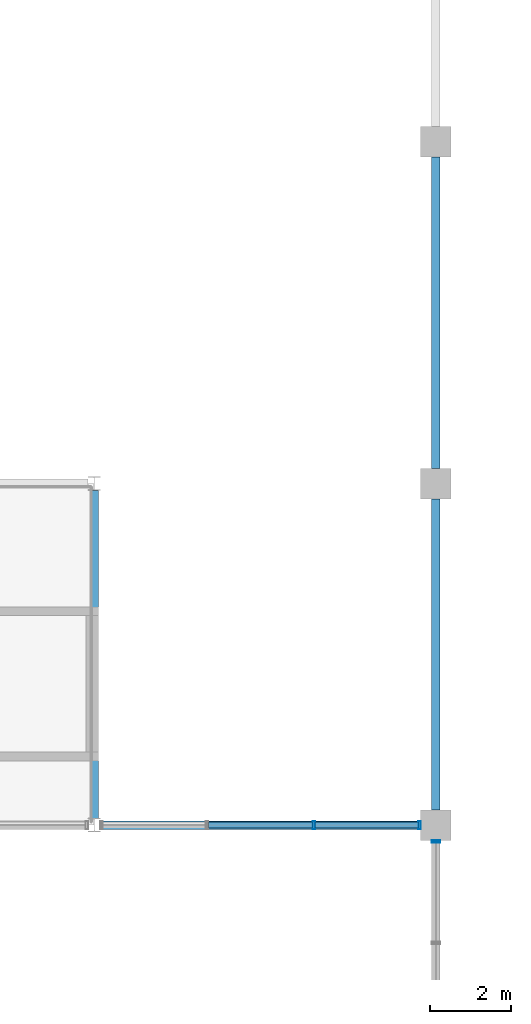
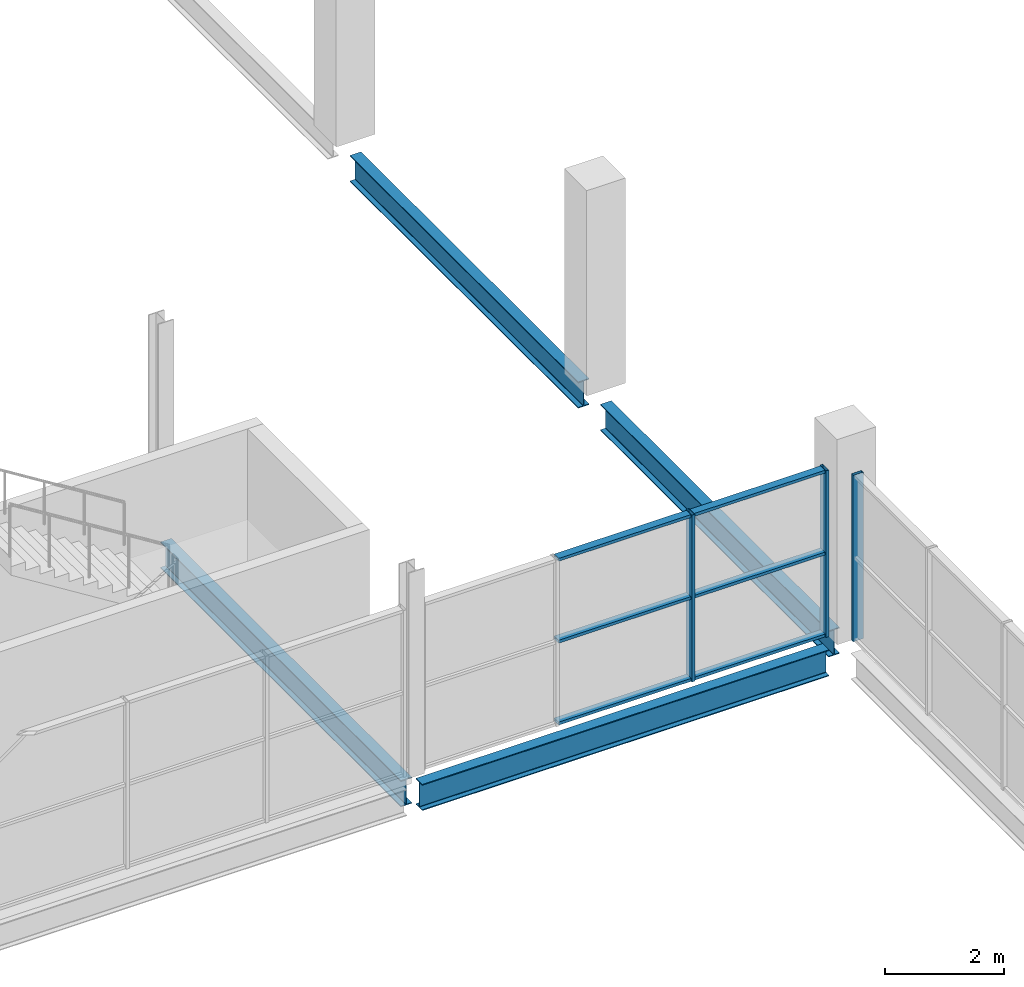
# One storey, part 20 of 93: 9 members, 4 beams, 2 elements without a shape of their own.
"""IFC4 building model written with IfcOpenShell, lengths in metres."""

import ifcopenshell
import ifcopenshell.guid

model = None  # the IFC model being written
_history = None  # IfcOwnerHistory: only IFC2X3 demands one
_inside = {}  # id of a spatial element -> (the spatial element, [elements in it])
_under = {}  # id of a project, library or spatial element -> (it, [spatial elements below it])
_declared = {}  # id of a project -> (the project, [libraries it declares])
_typed = {}  # id of a type object -> (the type object, [elements of that type])
_made_of = {}  # id of a material, layer set ... -> (it, [elements and type objects made of it])


def new_model(schema):
    """Start an empty IFC model of exactly this schema.

    Asked for "IFC4X3", IfcOpenShell would pick the latest addendum, in which some entities
    have other attributes; the version numbers below select the first issue.
    IFC2X3 requires an IfcOwnerHistory on every rooted entity: one is made here for all.
    """
    global model, _history
    if schema == "IFC4X3":
        model = ifcopenshell.file(schema_version=(4, 3, 0, 0))
    else:
        model = ifcopenshell.file(schema=schema)
    _inside.clear()
    _under.clear()
    _declared.clear()
    _typed.clear()
    _made_of.clear()
    _history = None
    if model.schema == "IFC2X3":
        org = make("IfcOrganization", Name="unknown")
        user = make(
            "IfcPersonAndOrganization",
            ThePerson=make("IfcPerson", FamilyName="unknown"),
            TheOrganization=org,
        )
        app = make(
            "IfcApplication",
            ApplicationDeveloper=org,
            Version="unknown",
            ApplicationFullName="unknown",
            ApplicationIdentifier="unknown",
        )
        _history = make(
            "IfcOwnerHistory",
            OwningUser=user,
            OwningApplication=app,
            ChangeAction="ADDED",
            CreationDate=0,
        )
    return model


def make(cls, **values):
    """One entity of the class cls with the attributes given. An attribute that is None is left unset."""
    return model.create_entity(
        cls, **{name: value for name, value in values.items() if value is not None}
    )


def rooted(cls, **values):
    """An entity with a GlobalId (a new one), such as an element, a storey or a relation."""
    return make(cls, GlobalId=ifcopenshell.guid.new(), OwnerHistory=_history, **values)


def si_unit(unit_type, name, prefix=None):
    """IfcSIUnit, for example si_unit("LENGTHUNIT", "METRE", prefix="MILLI")."""
    return make("IfcSIUnit", UnitType=unit_type, Prefix=prefix, Name=name)


def assignment(units):
    """IfcUnitAssignment: the units of a project."""
    return None if units is None else make("IfcUnitAssignment", Units=units)


def point(xyz):
    """IfcCartesianPoint."""
    return None if xyz is None else make("IfcCartesianPoint", Coordinates=xyz)


def direction(xyz):
    """IfcDirection."""
    return None if xyz is None else make("IfcDirection", DirectionRatios=xyz)


def frame(location, z_axis=None, x_axis=None):
    """IfcAxis2Placement3D, a coordinate frame: its origin and axes. An axis left out is left unset."""
    return make(
        "IfcAxis2Placement3D",
        Location=point(location),
        Axis=direction(z_axis),
        RefDirection=direction(x_axis),
    )


def frame_2d(location, x_axis=None):
    """IfcAxis2Placement2D, a coordinate frame in the plane: its origin and x axis."""
    return make(
        "IfcAxis2Placement2D", Location=point(location), RefDirection=direction(x_axis)
    )


def origin():
    """The frame at (0, 0, 0) with its axes left unset."""
    return frame((0.0, 0.0, 0.0))


def origin_2d():
    """The frame at (0, 0) in the plane with its x axis left unset."""
    return frame_2d((0.0, 0.0))


def place(relative_to, where):
    """IfcLocalPlacement: puts the frame where relative to a parent placement (None: the world)."""
    return make(
        "IfcLocalPlacement", PlacementRelTo=relative_to, RelativePlacement=where
    )


def context(
    kind, dimensions, precision=None, world=None, true_north=None, identifier=None
):
    """IfcGeometricRepresentationContext, for example the 3D "Model" context."""
    return make(
        "IfcGeometricRepresentationContext",
        ContextIdentifier=identifier,
        ContextType=kind,
        CoordinateSpaceDimension=dimensions,
        Precision=precision,
        WorldCoordinateSystem=world,
        TrueNorth=true_north,
    )


def subcontext(parent, identifier, kind, view, scale=None):
    """IfcGeometricRepresentationSubContext, for example "Body" below "Model"."""
    return make(
        "IfcGeometricRepresentationSubContext",
        ContextIdentifier=identifier,
        ContextType=kind,
        ParentContext=parent,
        TargetScale=scale,
        TargetView=view,
    )


def project(units=None, contexts=None):
    """IfcProject with its units and contexts."""
    return rooted(
        "IfcProject",
        Name="project",
        RepresentationContexts=contexts,
        UnitsInContext=assignment(units),
    )


def spatial(cls, under=None, at=None, **own):
    """A site, building, storey or space (cls), placed at a placement, below another one or the project."""
    s = rooted(cls, ObjectPlacement=at, **own)
    if under is not None:
        _under.setdefault(under.id(), (under, []))[1].append(s)
    return s


def profile(cls, at=None, kind="AREA", **sizes):
    """A parametric profile (cls). Its sizes go by their IFC names, for example OverallWidth=200.0."""
    return make(cls, ProfileType=kind, Position=at, **sizes)


def hollow_rectangle(**sizes):
    """IfcRectangleHollowProfileDef."""
    return profile("IfcRectangleHollowProfileDef", **sizes)


def i_section(**sizes):
    """IfcIShapeProfileDef."""
    return profile("IfcIShapeProfileDef", **sizes)


def extrude(swept, where, along, depth):
    """IfcExtrudedAreaSolid: the profile swept, set in the frame where, extruded along a direction by depth."""
    return make(
        "IfcExtrudedAreaSolid",
        SweptArea=swept,
        Position=where,
        ExtrudedDirection=direction(along),
        Depth=depth,
    )


def shape(context_of_items, identifier, shape_type, items):
    """IfcShapeRepresentation: the items that make up one representation, for example the "Body"."""
    return make(
        "IfcShapeRepresentation",
        ContextOfItems=context_of_items,
        RepresentationIdentifier=identifier,
        RepresentationType=shape_type,
        Items=items,
    )


def material(Name=None, Category=None):
    """IfcMaterial."""
    return make("IfcMaterial", Name=Name, Category=Category)


def material_profile(
    of_material, cross_section, Name=None, Category=None, Priority=None
):
    """IfcMaterialProfile: a cross section and its material."""
    return make(
        "IfcMaterialProfile",
        Name=Name,
        Material=of_material,
        Profile=cross_section,
        Priority=Priority,
        Category=Category,
    )


def profile_set(profiles, Name=None, composite=None):
    """IfcMaterialProfileSet."""
    return make(
        "IfcMaterialProfileSet",
        Name=Name,
        MaterialProfiles=profiles,
        CompositeProfile=composite,
    )


def made_of(thing, what):
    """Note that an element or type object is made of a material, layer set ...; save() writes the relation."""
    if what is not None:
        _made_of.setdefault(what.id(), (what, []))[1].append(thing)
    return thing


def type_object(cls, material=None, **own):
    """A type object (cls), such as IfcWallType, which elements share."""
    return made_of(rooted(cls, **own), material)


def element(
    cls,
    number,
    at=None,
    inside=None,
    cuts=None,
    type_object=None,
    material=None,
    context=None,
    identifier="Body",
    shape_type=None,
    held_by="IfcProductDefinitionShape",
    body=None,
    shapes=None,
    **own,
):
    """One element of the class cls, such as IfcWall. Its Tag is "e" and its number.

    at: its placement. inside: the storey or other place that contains it. cuts: it is an
    opening in that element (IfcRelVoidsElement). A single representation is given by context,
    identifier, shape_type and body (its items); several are given by shapes. held_by: the class
    of the entity that holds the representations. save() writes the other relations.
    """
    e = rooted(cls, Tag="e%d" % number, ObjectPlacement=at, **own)
    if body is not None:
        shapes = [shape(context, identifier, shape_type, body)]
    if shapes is not None:
        e.Representation = make(held_by, Representations=shapes)
    if inside is not None:
        _inside.setdefault(inside.id(), (inside, []))[1].append(e)
    if cuts is not None:
        rooted(
            "IfcRelVoidsElement", RelatingBuildingElement=cuts, RelatedOpeningElement=e
        )
    if type_object is not None:
        _typed.setdefault(type_object.id(), (type_object, []))[1].append(e)
    return made_of(e, material)


def aggregate(whole, parts):
    """IfcRelAggregates: a whole, such as a stair, and the parts it consists of."""
    return rooted("IfcRelAggregates", RelatingObject=whole, RelatedObjects=parts)


def save(model, path):
    """Write the relations noted so far, then the file.

    IfcRelAggregates (storeys below a building ...), IfcRelContainedInSpatialStructure (elements
    in a storey), IfcRelDefinesByType, IfcRelAssociatesMaterial and IfcRelDeclares: one each for
    every whole, place, type object, material and project.
    """
    for whole, parts in _under.values():
        aggregate(whole, parts)
    for where, things in _inside.values():
        rooted(
            "IfcRelContainedInSpatialStructure",
            RelatedElements=things,
            RelatingStructure=where,
        )
    for kind, things in _typed.values():
        rooted("IfcRelDefinesByType", RelatedObjects=things, RelatingType=kind)
    for what, things in _made_of.values():
        rooted("IfcRelAssociatesMaterial", RelatedObjects=things, RelatingMaterial=what)
    for by, libraries in _declared.values():
        rooted("IfcRelDeclares", RelatingContext=by, RelatedDefinitions=libraries)
    model.write(path)


model = new_model("IFC4")

# Units and contexts
model_context = context("Model", 3, precision=1e-05, world=origin(), true_north=direction((0.0, 1.0)))
body_context = subcontext(model_context, "Body", "Model", "MODEL_VIEW")
ifc_project = project(units=[si_unit("LENGTHUNIT", "METRE"), si_unit("AREAUNIT", "SQUARE_METRE"), si_unit("VOLUMEUNIT", "CUBIC_METRE"), si_unit("PLANEANGLEUNIT", "RADIAN"), si_unit("MASSUNIT", "GRAM", prefix="KILO"), si_unit("THERMODYNAMICTEMPERATUREUNIT", "KELVIN")], contexts=[model_context])

# Site, building, storey
site_placement = place(None, origin())
site = spatial("IfcSite", under=ifc_project, at=site_placement, CompositionType="ELEMENT")
building_placement = place(site_placement, origin())
building = spatial("IfcBuilding", under=site, at=building_placement, Name="Nduvali Passage Aquatics Centre", CompositionType="ELEMENT")
storey_placement = place(building_placement, frame((0.0, 0.0, 9.0)))
storey = spatial("IfcBuildingStorey", under=building, at=storey_placement, Name="L02", CompositionType="ELEMENT", Elevation=9.0)

# Curtain wall, member
ifc_material_1 = material(Name="Aluminium EN AW-6063 T6", Category="aluminium")
curtain_wall_type_1 = type_object("IfcCurtainWallType", Name="ENV-CW-CLER", PredefinedType="NOTDEFINED", material=ifc_material_1)
curtain_wall_1_placement = place(storey_placement, origin())
curtain_wall_1 = element("IfcCurtainWall", 1, at=curtain_wall_1_placement, inside=storey, type_object=curtain_wall_type_1, Name="L02 West Pool Hall Mid Clerestory 003", PredefinedType="NOTDEFINED")
ifc_material_profile_1 = material_profile(ifc_material_1, hollow_rectangle(XDim=0.06005859375, YDim=0.199951171875, WallThickness=0.00390625, at=origin_2d()), Name="ALU MULLION 60x200x4")
ifc_profile_set_1 = profile_set([ifc_material_profile_1], Name="Aluminium EN AW-6063 T6")
member_type_1 = type_object("IfcMemberType", Name="ENV-MEM-MUL80", PredefinedType="MULLION", material=ifc_profile_set_1)
member_1_placement = place(storey_placement, frame((25.199951171875, 33.195068359375, 0.0), z_axis=(0.0, 0.0, 1.0), x_axis=(0.0, 1.0, 0.0)))
member_1 = element("IfcMember", 2, at=member_1_placement, type_object=member_type_1, Name="West Pool Hall Mid Clerestory Mullion 4", PredefinedType="MULLION", context=body_context, shape_type="SweptSolid", body=[
    extrude(hollow_rectangle(XDim=0.06005859375, YDim=0.199951171875, WallThickness=0.00390625, at=origin_2d()), origin(), (0.0, 0.0, 1.0), 3.406494140625),
])
aggregate(curtain_wall_1, [member_1])

# Curtain wall, members
curtain_wall_type_2 = type_object("IfcCurtainWallType", Name="ENV-CW-DIVE", PredefinedType="NOTDEFINED", material=ifc_material_1)
curtain_wall_2_placement = place(storey_placement, origin())
curtain_wall_2 = element("IfcCurtainWall", 3, at=curtain_wall_2_placement, inside=storey, type_object=curtain_wall_type_2, Name="L02 Diving Side Clerestory CW 152", PredefinedType="NOTDEFINED")
member_2_placement = place(storey_placement, frame((22.199951171875, 33.60009765625, 0.0), z_axis=(0.0, 0.0, 1.0), x_axis=(1.0, 0.0, 0.0)))
member_2 = element("IfcMember", 4, at=member_2_placement, type_object=member_type_1, Name="Diving Side Clerestory CW Mullion 3", PredefinedType="MULLION", context=body_context, shape_type="SweptSolid", body=[
    extrude(hollow_rectangle(XDim=0.06005859375, YDim=0.199951171875, WallThickness=0.00390625, at=origin_2d()), origin(), (0.0, 0.0, 1.0), 3.412841796875),
])
member_3_placement = place(storey_placement, frame((24.794921875, 33.60009765625, 0.0), z_axis=(0.0, 0.0, 1.0), x_axis=(1.0, 0.0, 0.0)))
member_3 = element("IfcMember", 5, at=member_3_placement, type_object=member_type_1, Name="Diving Side Clerestory CW Mullion 4", PredefinedType="MULLION", context=body_context, shape_type="SweptSolid", body=[
    extrude(hollow_rectangle(XDim=0.06005859375, YDim=0.199951171875, WallThickness=0.00390625, at=origin_2d()), origin(), (0.0, 0.0, 1.0), 3.412841796875),
])
ifc_material_profile_2 = material_profile(ifc_material_1, hollow_rectangle(XDim=0.14990234375, YDim=0.06005859375, WallThickness=0.00390625, at=origin_2d()), Name="ALU TRANSOM 150x60x4")
ifc_profile_set_2 = profile_set([ifc_material_profile_2], Name="Aluminium EN AW-6063 T6")
member_type_2 = type_object("IfcMemberType", Name="ENV-MEM-TRN80", PredefinedType="USERDEFINED", material=ifc_profile_set_2)
member_4_placement = place(storey_placement, frame((19.60498046875, 33.60009765625, 0.030029296875), z_axis=(1.0, 0.0, 0.0), x_axis=(0.0, 1.0, 0.0)))
member_4 = element("IfcMember", 6, at=member_4_placement, type_object=member_type_2, Name="Diving Side Clerestory CW Transom B2-R0", ObjectType="TRANSOM", PredefinedType="USERDEFINED", context=body_context, shape_type="SweptSolid", body=[
    extrude(hollow_rectangle(XDim=0.14990234375, YDim=0.06005859375, WallThickness=0.00390625, at=origin_2d()), origin(), (0.0, 0.0, 1.0), 2.56494140625),
])
member_5_placement = place(storey_placement, frame((19.60498046875, 33.60009765625, 1.706298828125), z_axis=(1.0, 0.0, 0.0), x_axis=(0.0, 1.0, 0.0)))
member_5 = element("IfcMember", 7, at=member_5_placement, type_object=member_type_2, Name="Diving Side Clerestory CW Transom B2-R1", ObjectType="TRANSOM", PredefinedType="USERDEFINED", context=body_context, shape_type="SweptSolid", body=[
    extrude(hollow_rectangle(XDim=0.14990234375, YDim=0.06005859375, WallThickness=0.00390625, at=origin_2d()), origin(), (0.0, 0.0, 1.0), 2.56494140625),
])
member_6_placement = place(storey_placement, frame((19.60498046875, 33.60009765625, 3.3828125), z_axis=(1.0, 0.0, 0.0), x_axis=(0.0, 1.0, 0.0)))
member_6 = element("IfcMember", 8, at=member_6_placement, type_object=member_type_2, Name="Diving Side Clerestory CW Transom B2-R2", ObjectType="TRANSOM", PredefinedType="USERDEFINED", context=body_context, shape_type="SweptSolid", body=[
    extrude(hollow_rectangle(XDim=0.14990234375, YDim=0.06005859375, WallThickness=0.00390625, at=origin_2d()), origin(), (0.0, 0.0, 1.0), 2.56494140625),
])
member_7_placement = place(storey_placement, frame((22.22998046875, 33.60009765625, 0.030029296875), z_axis=(1.0, 0.0, 0.0), x_axis=(0.0, 1.0, 0.0)))
member_7 = element("IfcMember", 9, at=member_7_placement, type_object=member_type_2, Name="Diving Side Clerestory CW Transom B3-R0", ObjectType="TRANSOM", PredefinedType="USERDEFINED", context=body_context, shape_type="SweptSolid", body=[
    extrude(hollow_rectangle(XDim=0.14990234375, YDim=0.06005859375, WallThickness=0.00390625, at=origin_2d()), origin(), (0.0, 0.0, 1.0), 2.534912109375),
])
member_8_placement = place(storey_placement, frame((22.22998046875, 33.60009765625, 1.706298828125), z_axis=(1.0, 0.0, 0.0), x_axis=(0.0, 1.0, 0.0)))
member_8 = element("IfcMember", 10, at=member_8_placement, type_object=member_type_2, Name="Diving Side Clerestory CW Transom B3-R1", ObjectType="TRANSOM", PredefinedType="USERDEFINED", context=body_context, shape_type="SweptSolid", body=[
    extrude(hollow_rectangle(XDim=0.14990234375, YDim=0.06005859375, WallThickness=0.00390625, at=origin_2d()), origin(), (0.0, 0.0, 1.0), 2.534912109375),
])
member_9_placement = place(storey_placement, frame((22.22998046875, 33.60009765625, 3.3828125), z_axis=(1.0, 0.0, 0.0), x_axis=(0.0, 1.0, 0.0)))
member_9 = element("IfcMember", 11, at=member_9_placement, type_object=member_type_2, Name="Diving Side Clerestory CW Transom B3-R2", ObjectType="TRANSOM", PredefinedType="USERDEFINED", context=body_context, shape_type="SweptSolid", body=[
    extrude(hollow_rectangle(XDim=0.14990234375, YDim=0.06005859375, WallThickness=0.00390625, at=origin_2d()), origin(), (0.0, 0.0, 1.0), 2.534912109375),
])
aggregate(curtain_wall_2, [member_2, member_3, member_4, member_5, member_6, member_7, member_8, member_9])

# Beams
ifc_material_2 = material(Name="Steel S355", Category="steel")
ifc_material_profile_3 = material_profile(ifc_material_2, i_section(OverallWidth=0.210693359375, OverallDepth=0.53955078125, WebThickness=0.01171875, FlangeThickness=0.018798828125, FilletRadius=0.0126953125, at=origin_2d()), Name="UKB 533x210x109")
ifc_profile_set_3 = profile_set([ifc_material_profile_3], Name="Steel S355")
beam_type_1 = type_object("IfcBeamType", Name="STR-BM-UKB533", PredefinedType="BEAM", material=ifc_profile_set_3)
beam_1_placement = place(storey_placement, frame((16.949951171875, 33.60009765625, -0.53369140625), z_axis=(1.0, 0.0, 0.0), x_axis=(0.0, 1.0, 0.0)))
element("IfcBeam", 12, at=beam_1_placement, inside=storey, type_object=beam_type_1, Name="L02 Primary X-Girder B6-0886", PredefinedType="BEAM", context=body_context, shape_type="SweptSolid", body=[
    extrude(i_section(OverallWidth=0.210693359375, OverallDepth=0.53955078125, WebThickness=0.01171875, FlangeThickness=0.018798828125, FilletRadius=0.0126953125, at=origin_2d()), origin(), (0.0, 0.0, 1.0), 7.875),
])
beam_2_placement = place(storey_placement, frame((16.800048828125, 33.77001953125, -0.53369140625), z_axis=(0.0, 1.0, 0.0), x_axis=(-1.0, 0.0, 0.0)))
element("IfcBeam", 13, at=beam_2_placement, inside=storey, type_object=beam_type_1, Name="L02 Primary Y-Girder B6-0958", PredefinedType="BEAM", context=body_context, shape_type="SweptSolid", body=[
    extrude(i_section(OverallWidth=0.210693359375, OverallDepth=0.53955078125, WebThickness=0.01171875, FlangeThickness=0.018798828125, FilletRadius=0.0126953125, at=origin_2d()), origin(), (0.0, 0.0, 1.0), 8.06005859375),
])
ifc_material_profile_4 = material_profile(ifc_material_2, i_section(OverallWidth=0.210693359375, OverallDepth=0.53955078125, WebThickness=0.01171875, FlangeThickness=0.018798828125, FilletRadius=0.0126953125, at=origin_2d()), Name="UKB 533x210x109")
ifc_profile_set_4 = profile_set([ifc_material_profile_4], Name="Steel S355")
beam_type_2 = type_object("IfcBeamType", Name="STR-BM-UKB533-EXT", PredefinedType="BEAM", material=ifc_profile_set_4)
for number, where, z_axis, x_axis, name in (
    (14, (25.199951171875, 33.97509765625, -0.53369140625), (0.0, 1.0, 0.0), (-1.0, 0.0, 0.0), "L02 Primary Y-Girder B6E-0961"),
    (15, (25.199951171875, 42.375, -0.53369140625), (0.0, 1.0, 0.0), (-1.0, 0.0, 0.0), "L02 Primary Y-Girder B6E-0962"),
):
    element("IfcBeam", number, at=place(storey_placement, frame(where, z_axis=z_axis, x_axis=x_axis)), inside=storey, type_object=beam_type_2, Name=name, PredefinedType="BEAM", context=body_context, shape_type="SweptSolid", body=[
        extrude(i_section(OverallWidth=0.210693359375, OverallDepth=0.53955078125, WebThickness=0.01171875, FlangeThickness=0.018798828125, FilletRadius=0.0126953125, at=origin_2d()), origin(), (0.0, 0.0, 1.0), 7.64990234375),
    ])

save(model, "model.ifc")
